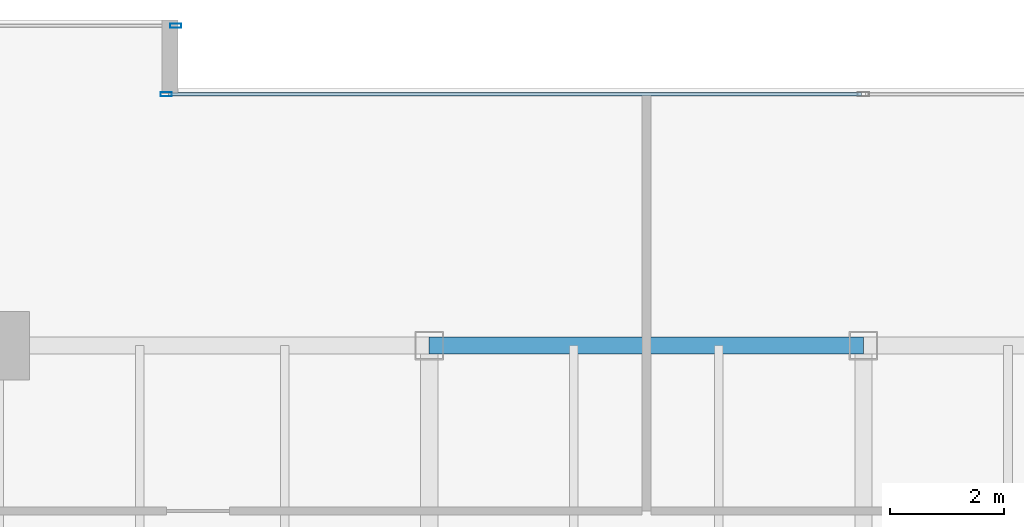
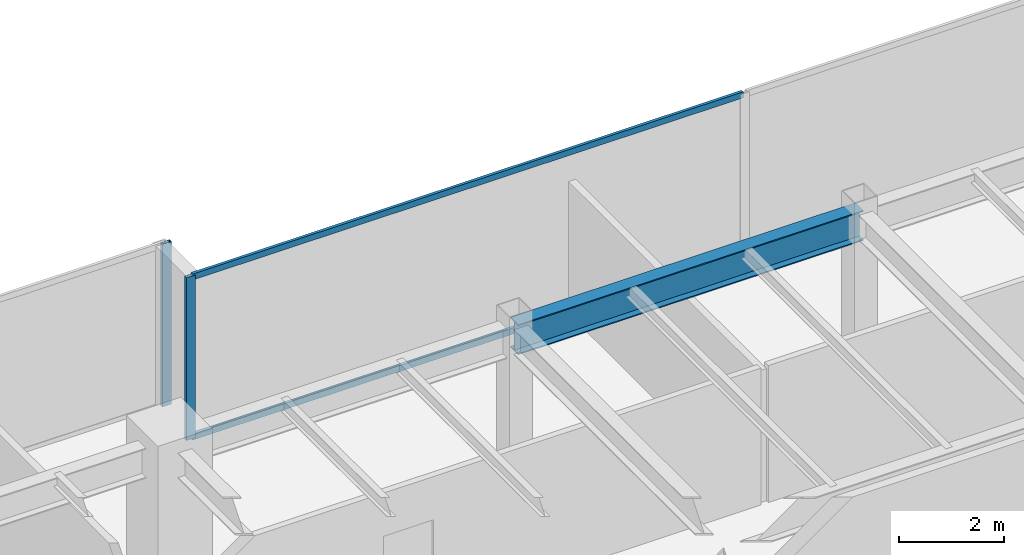
# One storey, part 16 of 31: 4 members, 1 beam, 2 elements without a shape of their own.
"""IFC4 building model written with IfcOpenShell, lengths in metres."""

from ifc_helpers import new_model, si_unit, direction, frame, origin, origin_2d, place, context, subcontext, project, spatial, hollow_rectangle, i_section, extrude, source, transform, mapped, material, layer, layer_set, material_profile, profile_set, type_object, type_shapes, element, aggregate, save


model = new_model("IFC4")

# Units and contexts
model_context = context("Model", 3, precision=1e-05, world=origin(), true_north=direction((0.0, 1.0)))
body_context = subcontext(model_context, "Body", "Model", "MODEL_VIEW")
ifc_project = project(units=[si_unit("LENGTHUNIT", "METRE"), si_unit("AREAUNIT", "SQUARE_METRE"), si_unit("VOLUMEUNIT", "CUBIC_METRE"), si_unit("PLANEANGLEUNIT", "RADIAN"), si_unit("MASSUNIT", "GRAM", prefix="KILO")], contexts=[model_context])

# Site, building, storey
site_placement = place(None, origin())
site = spatial("IfcSite", under=ifc_project, at=site_placement, CompositionType="ELEMENT")
building_placement = place(site_placement, origin())
building = spatial("IfcBuilding", under=site, at=building_placement, Name="Haelvirn Gate Laboratories", CompositionType="ELEMENT")
storey_placement = place(building_placement, frame((0.0, 0.0, 154.300048828125)))
storey = spatial("IfcBuildingStorey", under=building, at=storey_placement, Name="L37", CompositionType="ELEMENT", Elevation=154.300048828125)

# Beam
ifc_material_1 = material(Name="Steel SM355", Category="steel")
ifc_material_profile_1 = material_profile(ifc_material_1, i_section(OverallWidth=0.300048828125, OverallDepth=0.699951171875, WebThickness=0.012939453125, FlangeThickness=0.02392578125, at=origin_2d()), Name="H-700x300x13x24")
ifc_profile_set_1 = profile_set([ifc_material_profile_1], Name="Steel SM355")
beam_type = type_object("IfcBeamType", Name="BM-G-700", PredefinedType="BEAM", material=ifc_profile_set_1)
shared_shape_1 = source(origin(), body_context, "Body", "SweptSolid", [
    extrude(i_section(OverallWidth=0.300048828125, OverallDepth=0.699951171875, WebThickness=0.012939453125, FlangeThickness=0.02392578125, at=origin_2d()), origin(), (0.0, 0.0, 1.0), 7.599853515625),
])
type_shapes(beam_type, [shared_shape_1])
beam_placement = place(storey_placement, frame((29.800048828125, 41.60009765625, 3.43994140625), z_axis=(1.0, 0.0, 0.0), x_axis=(0.0, 1.0, 0.0)))
element("IfcBeam", 1, at=beam_placement, inside=storey, type_object=beam_type, Name="L37 Primary Girder Y41.6 (29.8-37.4)", PredefinedType="BEAM", context=body_context, shape_type="MappedRepresentation", body=[
    mapped(shared_shape_1, transform((0.0, 0.0, 0.0), scale=1.0)),
])

# Curtain wall, members
ifc_material_2 = material(Name="Anodised bronze unitised aluminium & triple low-E glass", Category="aluminium")
ifc_layer = layer(ifc_material_2, 0.179931640625, Name="CW-SYS-3")
ifc_layer_set = layer_set([ifc_layer], Name="Anodised bronze unitised aluminium & triple low-E glass")
curtain_wall_type = type_object("IfcCurtainWallType", Name="CW-SYS-3", PredefinedType="NOTDEFINED", material=ifc_layer_set)
curtain_wall_1_placement = place(storey_placement, origin())
curtain_wall_1 = element("IfcCurtainWall", 2, at=curtain_wall_1_placement, inside=storey, type_object=curtain_wall_type, Name="L37 Unitised Curtain Wall CW-L37-P0-E12-1", PredefinedType="NOTDEFINED")
ifc_material_3 = material(Name="Extruded aluminium 6063-T6 (anodised bronze)", Category="aluminium")
ifc_material_profile_2 = material_profile(ifc_material_3, hollow_rectangle(XDim=0.06494140625, YDim=0.139892578125, WallThickness=0.00390625, at=origin_2d()), Name="CWT-140x65x4")
ifc_profile_set_2 = profile_set([ifc_material_profile_2], Name="Extruded aluminium 6063-T6 (anodised bronze)")
member_type_1 = type_object("IfcMemberType", Name="CWT-T140", PredefinedType="USERDEFINED", material=ifc_profile_set_2)
shared_shape_2 = source(origin(), body_context, "Body", "SweptSolid", [
    extrude(hollow_rectangle(XDim=0.06494140625, YDim=0.139892578125, WallThickness=0.00390625, at=origin_2d()), origin(), (0.0, 0.0, 1.0), 12.12744140625),
])
type_shapes(member_type_1, [shared_shape_2])
member_1_placement = place(storey_placement, frame((25.235107421875, 46.0, 0.032470703125), z_axis=(1.0, 0.0, 0.0), x_axis=(0.0, 1.0, 0.0)))
member_1 = element("IfcMember", 3, at=member_1_placement, type_object=member_type_1, Name="CW3 transom 1.1", ObjectType="TRANSOM", PredefinedType="USERDEFINED", context=body_context, shape_type="MappedRepresentation", body=[
    mapped(shared_shape_2, transform((0.0, 0.0, 0.0), scale=1.0)),
])
member_2_placement = place(storey_placement, frame((25.235107421875, 46.0, 3.757568359375), z_axis=(1.0, 0.0, 0.0), x_axis=(0.0, 1.0, 0.0)))
member_2 = element("IfcMember", 4, at=member_2_placement, type_object=member_type_1, Name="CW3 transom 1.2", ObjectType="TRANSOM", PredefinedType="USERDEFINED", context=body_context, shape_type="MappedRepresentation", body=[
    mapped(shared_shape_2, transform((0.0, 0.0, 0.0), scale=1.0)),
])
ifc_material_profile_3 = material_profile(ifc_material_3, hollow_rectangle(XDim=0.074951171875, YDim=0.199951171875, WallThickness=0.0048828125, at=origin_2d()), Name="CWM-200x75x5")
ifc_profile_set_3 = profile_set([ifc_material_profile_3], Name="Extruded aluminium 6063-T6 (anodised bronze)")
member_type_2 = type_object("IfcMemberType", Name="CWM-T200", PredefinedType="MULLION", material=ifc_profile_set_3)
shared_shape_3 = source(origin(), body_context, "Body", "SweptSolid", [
    extrude(hollow_rectangle(XDim=0.074951171875, YDim=0.199951171875, WallThickness=0.0048828125, at=origin_2d()), origin(), (0.0, 0.0, 1.0), 3.7900390625),
])
type_shapes(member_type_2, [shared_shape_3])
member_3_placement = place(storey_placement, frame((25.197509765625, 46.0, 0.0), z_axis=(0.0, 0.0, 1.0), x_axis=(0.0, 1.0, 0.0)))
member_3 = element("IfcMember", 5, at=member_3_placement, type_object=member_type_2, Name="CW3 mullion 1", PredefinedType="MULLION", context=body_context, shape_type="MappedRepresentation", body=[
    mapped(shared_shape_3, transform((0.0, 0.0, 0.0), scale=1.0)),
])
aggregate(curtain_wall_1, [member_3, member_1, member_2])

# Curtain wall, member
curtain_wall_2_placement = place(storey_placement, origin())
curtain_wall_2 = element("IfcCurtainWall", 6, at=curtain_wall_2_placement, inside=storey, type_object=curtain_wall_type, Name="L37 Unitised Curtain Wall CW-L37-P0-E14-1", PredefinedType="NOTDEFINED")
member_4_placement = place(storey_placement, frame((25.362548828125, 47.199951171875, 0.0), z_axis=(0.0, 0.0, 1.0), x_axis=(0.0, 1.0, 0.0)))
member_4 = element("IfcMember", 7, at=member_4_placement, type_object=member_type_2, Name="CW3 mullion 3", PredefinedType="MULLION", context=body_context, shape_type="MappedRepresentation", body=[
    mapped(shared_shape_3, transform((0.0, 0.0, 0.0), scale=1.0)),
])
aggregate(curtain_wall_2, [member_4])

save(model, "model.ifc")
